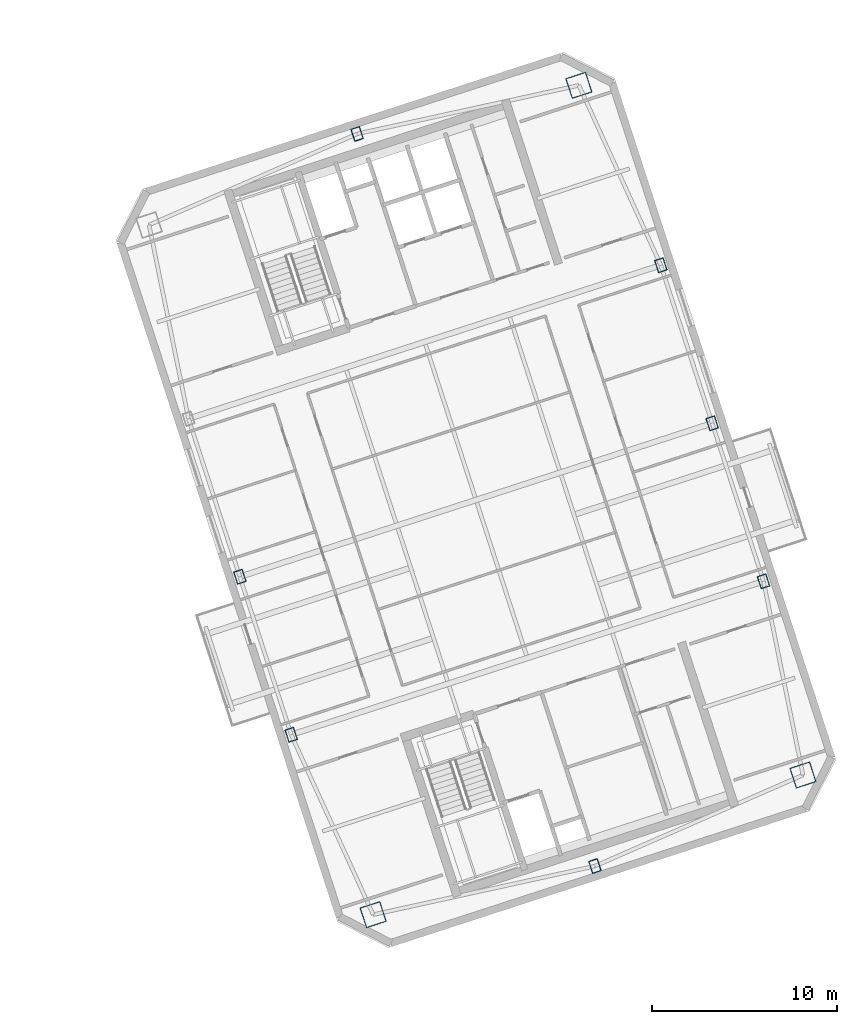
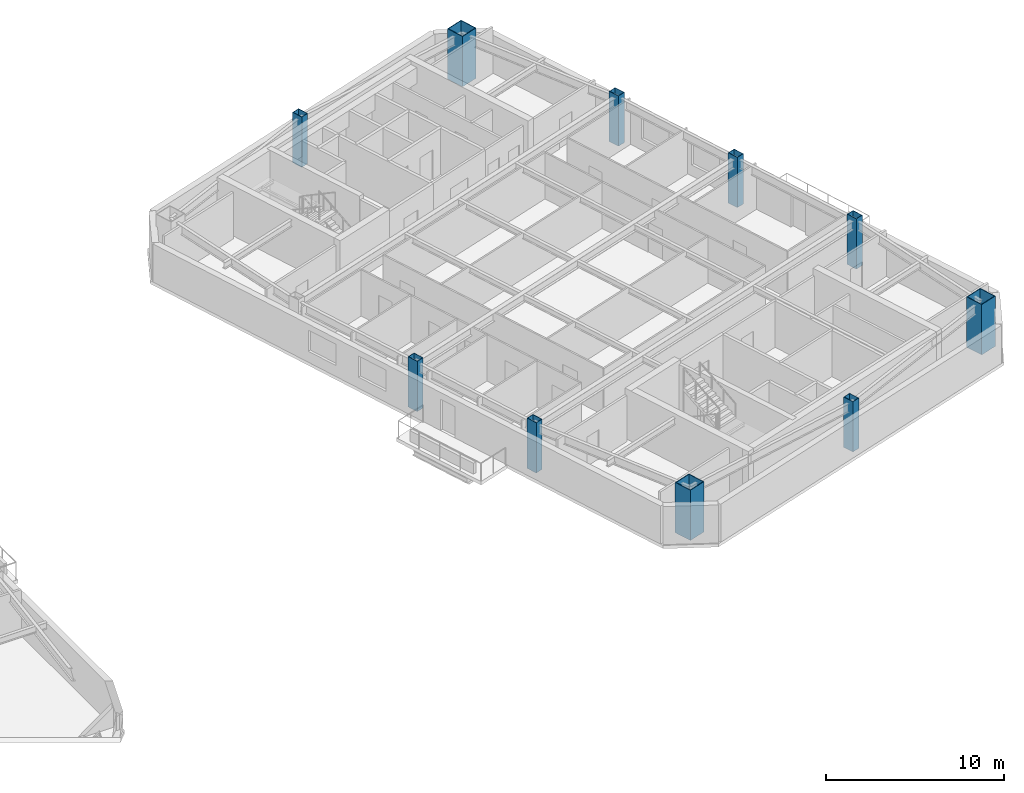
# One storey, part 2 of 15: 10 columns.
"""IFC4 building model written with IfcOpenShell, lengths in metres."""

from ifc_helpers import new_model, si_unit, direction, frame, origin, origin_2d, place, context, subcontext, project, spatial, hollow_rectangle, extrude, material, material_profile, profile_set, type_object, element, save


model = new_model("IFC4")

# Units and contexts
model_context = context("Model", 3, precision=1e-05, world=origin(), true_north=direction((0.0, 1.0)))
body_context = subcontext(model_context, "Body", "Model", "MODEL_VIEW")
ifc_project = project(units=[si_unit("LENGTHUNIT", "METRE"), si_unit("AREAUNIT", "SQUARE_METRE"), si_unit("VOLUMEUNIT", "CUBIC_METRE"), si_unit("PLANEANGLEUNIT", "RADIAN"), si_unit("MASSUNIT", "GRAM", prefix="KILO")], contexts=[model_context])

# Site, building, storey
site_placement = place(None, origin())
site = spatial("IfcSite", under=ifc_project, at=site_placement, CompositionType="ELEMENT")
building_placement = place(site_placement, origin())
building = spatial("IfcBuilding", under=site, at=building_placement, Name="Qiaolan Cultural Towers", CompositionType="ELEMENT")
storey_placement = place(building_placement, frame((0.0, 0.0, 209.300048828125)))
storey = spatial("IfcBuildingStorey", under=building, at=storey_placement, Name="L56", CompositionType="ELEMENT", Elevation=209.300048828125)

# Columns
ifc_material_1 = material(Name="Steel Q390GJB", Category="steel")
ifc_material_profile_1 = material_profile(ifc_material_1, hollow_rectangle(XDim=1.14990234375, YDim=1.14990234375, WallThickness=0.0400390625, at=origin_2d()), Name="BOX1150x1150x40")
ifc_profile_set_1 = profile_set([ifc_material_profile_1], Name="Steel Q390GJB")
column_type_1 = type_object("IfcColumnType", Name="COL-BOX1150x1150x40", PredefinedType="COLUMN", material=ifc_profile_set_1)
for number, where, z_axis, x_axis, name in (
    (1, (84.42822265625, 11.538818359375, 0.0), (0.0, 0.0, 1.0), (0.951056516295, 0.309016994375, 0.0), "L56 T2 Perimeter Column MC-SW"),
    (2, (107.7099609375, 19.103515625, 0.0), (0.0, 0.0, 1.0), (0.951056516295, 0.309016994375, 0.0), "L56 T2 Perimeter Column MC-SE"),
    (3, (95.57177734375, 56.461181640625, 0.0), (0.0, 0.0, 1.0), (0.951056516295, 0.309016994375, 0.0), "L56 T2 Perimeter Column MC-NE"),
):
    element("IfcColumn", number, at=place(storey_placement, frame(where, z_axis=z_axis, x_axis=x_axis)), inside=storey, type_object=column_type_1, Name=name, PredefinedType="COLUMN", context=body_context, shape_type="SweptSolid", body=[
        extrude(hollow_rectangle(XDim=1.14990234375, YDim=1.14990234375, WallThickness=0.0400390625, at=origin_2d()), origin(), (0.0, 0.0, 1.0), 3.450927734375),
    ])
ifc_material_2 = material(Name="Steel Q355B", Category="steel")
ifc_material_profile_2 = material_profile(ifc_material_2, hollow_rectangle(XDim=0.5, YDim=0.699951171875, WallThickness=0.02490234375, at=origin_2d()), Name="BOX700x500x25")
ifc_profile_set_2 = profile_set([ifc_material_profile_2], Name="Steel Q355B")
column_type_2 = type_object("IfcColumnType", Name="COL-BOX700x500x25", PredefinedType="COLUMN", material=ifc_profile_set_2)
for number, where, z_axis, x_axis, name in (
    (4, (79.989501953125, 21.2841796875, 0.0), (0.0, 0.0, 1.0), (0.951056516295, 0.309016994375, 0.0), "L56 T2 Perimeter Column PC-W1"),
    (5, (77.208251953125, 29.84375, 0.0), (0.0, 0.0, 1.0), (0.951056516295, 0.309016994375, 0.0), "L56 T2 Perimeter Column PC-W2"),
    (6, (105.57275390625, 29.5966796875, 0.0), (0.0, 0.0, 1.0), (0.951056516295, 0.309016994375, 0.0), "L56 T2 Perimeter Column PC-E1"),
    (7, (102.791748046875, 38.15625, 0.0), (0.0, 0.0, 1.0), (0.951056516295, 0.309016994375, 0.0), "L56 T2 Perimeter Column PC-E2"),
    (8, (100.010498046875, 46.7158203125, 0.0), (0.0, 0.0, 1.0), (0.951056516295, 0.309016994375, 0.0), "L56 T2 Perimeter Column PC-E3"),
    (9, (96.443115234375, 14.17041015625, 0.0), (0.0, 0.0, 1.0), (0.951056516295, 0.309016994375, 0.0), "L56 T2 Perimeter Column PC-S0"),
    (10, (83.556884765625, 53.82958984375, 0.0), (0.0, 0.0, 1.0), (0.951056516295, 0.309016994375, 0.0), "L56 T2 Perimeter Column PC-N0"),
):
    element("IfcColumn", number, at=place(storey_placement, frame(where, z_axis=z_axis, x_axis=x_axis)), inside=storey, type_object=column_type_2, Name=name, PredefinedType="COLUMN", context=body_context, shape_type="SweptSolid", body=[
        extrude(hollow_rectangle(XDim=0.5, YDim=0.699951171875, WallThickness=0.02490234375, at=origin_2d()), origin(), (0.0, 0.0, 1.0), 3.450927734375),
    ])

save(model, "model.ifc")
